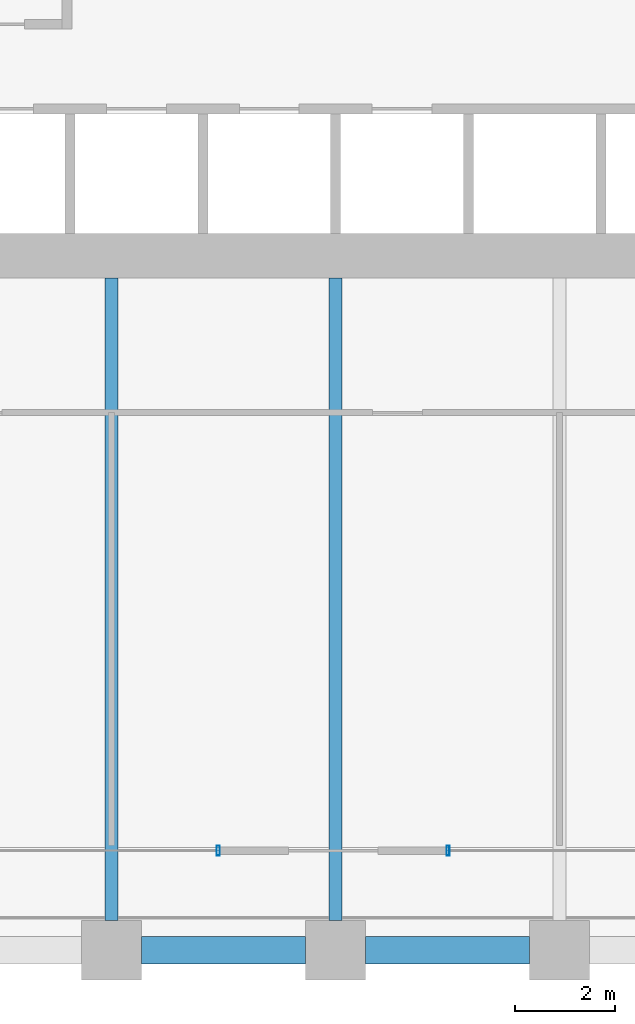
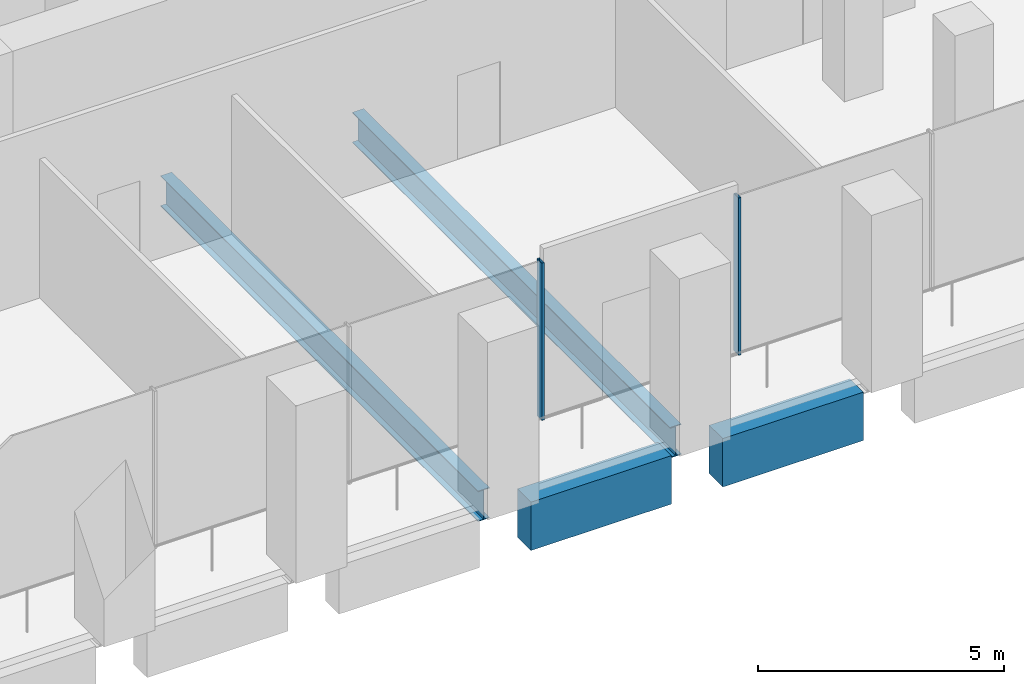
# One storey, part 5 of 36: 4 beams, 2 members, 2 elements without a shape of their own.
"""IFC4 building model written with IfcOpenShell, lengths in metres."""

from ifc_helpers import new_model, si_unit, direction, frame, origin, origin_2d, place, context, subcontext, project, spatial, rectangle, hollow_rectangle, i_section, extrude, material, material_profile, profile_set, type_object, element, aggregate, save


model = new_model("IFC4")

# Units and contexts
model_context = context("Model", 3, precision=1e-05, world=origin(), true_north=direction((0.0, 1.0)))
body_context = subcontext(model_context, "Body", "Model", "MODEL_VIEW")
ifc_project = project(units=[si_unit("LENGTHUNIT", "METRE"), si_unit("AREAUNIT", "SQUARE_METRE"), si_unit("VOLUMEUNIT", "CUBIC_METRE"), si_unit("PLANEANGLEUNIT", "RADIAN"), si_unit("MASSUNIT", "GRAM", prefix="KILO")], contexts=[model_context])

# Site, building, storey
site_placement = place(None, origin())
site = spatial("IfcSite", under=ifc_project, at=site_placement, CompositionType="ELEMENT")
building_placement = place(site_placement, origin())
building = spatial("IfcBuilding", under=site, at=building_placement, Name="Altepetl Exchange Towers", CompositionType="ELEMENT")
storey_placement = place(building_placement, frame((0.0, 0.0, 34.199951171875)))
storey = spatial("IfcBuildingStorey", under=building, at=storey_placement, Name="L07", CompositionType="ELEMENT", Elevation=34.199951171875)

# Beams
ifc_material_1 = material(Name="Steel S355", Category="steel")
ifc_material_profile_1 = material_profile(ifc_material_1, i_section(OverallWidth=0.26611328125, OverallDepth=0.758056640625, WebThickness=0.013916015625, FlangeThickness=0.019287109375, at=origin_2d()), Name="W30X108")
ifc_profile_set_1 = profile_set([ifc_material_profile_1], Name="Steel S355")
beam_type_1 = type_object("IfcBeamType", Name="Floor beam W30X108", PredefinedType="BEAM", material=ifc_profile_set_1)
for number, where, z_axis, x_axis, name in (
    (1, (45.0, 27.60009765625, -0.553955078125), (0.0, 1.0, 0.0), (-1.0, 0.0, 0.0), "bm:A:L07:015"),
    (2, (49.5, 27.60009765625, -0.553955078125), (0.0, 1.0, 0.0), (-1.0, 0.0, 0.0), "bm:A:L07:016"),
):
    element("IfcBeam", number, at=place(storey_placement, frame(where, z_axis=z_axis, x_axis=x_axis)), inside=storey, type_object=beam_type_1, Name=name, PredefinedType="BEAM", context=body_context, shape_type="SweptSolid", body=[
        extrude(i_section(OverallWidth=0.26611328125, OverallDepth=0.758056640625, WebThickness=0.013916015625, FlangeThickness=0.019287109375, at=origin_2d()), origin(), (0.0, 0.0, 1.0), 12.89990234375),
    ])

# Curtain wall, member
ifc_material_2 = material(Name="Aluminium 6063-T6 glazing", Category="aluminium")
curtain_wall_type = type_object("IfcCurtainWallType", Name="Trading floor glazing system", PredefinedType="NOTDEFINED", material=ifc_material_2)
curtain_wall_1_placement = place(storey_placement, origin())
curtain_wall_1 = element("IfcCurtainWall", 3, at=curtain_wall_1_placement, inside=storey, type_object=curtain_wall_type, Name="CW2 run", PredefinedType="NOTDEFINED")
ifc_material_3 = material(Name="Aluminium 6063-T6", Category="aluminium")
ifc_material_profile_2 = material_profile(ifc_material_3, hollow_rectangle(XDim=0.06005859375, YDim=0.199951171875, WallThickness=0.0029296875, at=origin_2d()), Name="Mullion 60x200 aluminium")
ifc_profile_set_2 = profile_set([ifc_material_profile_2], Name="Aluminium 6063-T6")
member_type = type_object("IfcMemberType", Name="Mullion 60x200 aluminium", PredefinedType="MULLION", material=ifc_profile_set_2)
member_1_placement = place(storey_placement, frame((47.141357421875, 29.0, 0.0)))
member_1 = element("IfcMember", 4, at=member_1_placement, type_object=member_type, Name="MU2 mullion", PredefinedType="MULLION", context=body_context, shape_type="SweptSolid", body=[
    extrude(hollow_rectangle(XDim=0.06005859375, YDim=0.199951171875, WallThickness=0.0029296875, at=origin_2d()), origin(), (0.0, 0.0, 1.0), 3.900146484375),
])
aggregate(curtain_wall_1, [member_1])

curtain_wall_2_placement = place(storey_placement, origin())
curtain_wall_2 = element("IfcCurtainWall", 5, at=curtain_wall_2_placement, inside=storey, type_object=curtain_wall_type, Name="CW2 run", PredefinedType="NOTDEFINED")
member_2_placement = place(storey_placement, frame((51.758544921875, 29.0, 0.0)))
member_2 = element("IfcMember", 6, at=member_2_placement, type_object=member_type, Name="MU2 mullion", PredefinedType="MULLION", context=body_context, shape_type="SweptSolid", body=[
    extrude(hollow_rectangle(XDim=0.06005859375, YDim=0.199951171875, WallThickness=0.0029296875, at=origin_2d()), origin(), (0.0, 0.0, 1.0), 3.900146484375),
])
aggregate(curtain_wall_2, [member_2])

# Beams
ifc_material_4 = material(Name="Concrete C50/60 precast with cantera blanca facing", Category="concrete")
ifc_material_profile_3 = material_profile(ifc_material_4, rectangle(XDim=0.550048828125, YDim=1.199951171875, at=origin_2d()), Name="550 x 1200")
ifc_profile_set_3 = profile_set([ifc_material_profile_3], Name="Concrete C50/60 precast with cantera blanca facing")
beam_type_2 = type_object("IfcBeamType", Name="Spandrel beam 550x1200 cantera blanca", PredefinedType="SPANDREL", material=ifc_profile_set_3)
for number, where, z_axis, x_axis, name in (
    (7, (45.60009765625, 27.0, -0.77490234375), (1.0, 0.0, 0.0), (0.0, 1.0, 0.0), "sp:A:L07:003"),
    (8, (50.10009765625, 27.0, -0.77490234375), (1.0, 0.0, 0.0), (0.0, 1.0, 0.0), "sp:A:L07:004"),
):
    element("IfcBeam", number, at=place(storey_placement, frame(where, z_axis=z_axis, x_axis=x_axis)), inside=storey, type_object=beam_type_2, Name=name, PredefinedType="SPANDREL", context=body_context, shape_type="SweptSolid", body=[
        extrude(rectangle(XDim=0.550048828125, YDim=1.199951171875, at=origin_2d()), origin(), (0.0, 0.0, 1.0), 3.2998046875),
    ])

save(model, "model.ifc")
